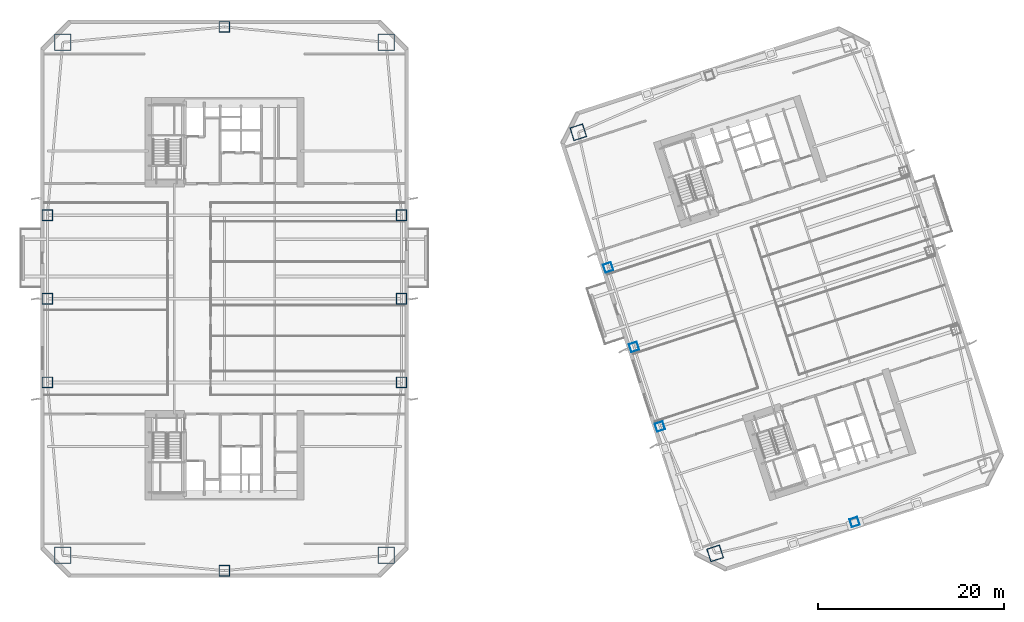
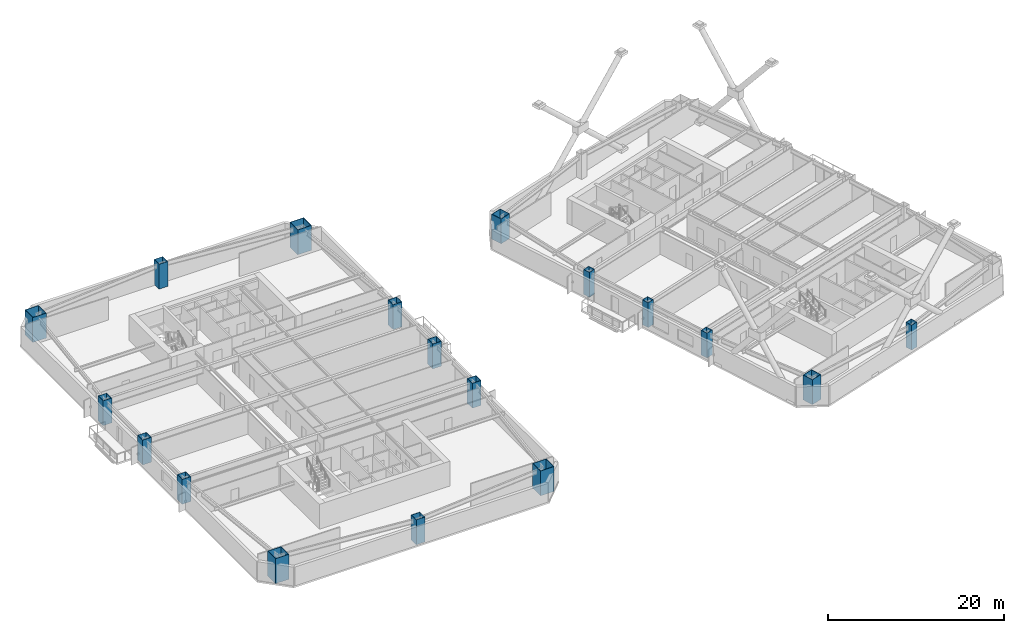
# One storey, part 1 of 19: 18 columns.
"""IFC4 building model written with IfcOpenShell, lengths in metres."""

from ifc_helpers import new_model, si_unit, direction, frame, origin, origin_2d, place, context, subcontext, project, spatial, hollow_rectangle, extrude, material, material_profile, profile_set, type_object, element, save


model = new_model("IFC4")

# Units and contexts
model_context = context("Model", 3, precision=1e-05, world=origin(), true_north=direction((0.0, 1.0)))
body_context = subcontext(model_context, "Body", "Model", "MODEL_VIEW")
ifc_project = project(units=[si_unit("LENGTHUNIT", "METRE"), si_unit("AREAUNIT", "SQUARE_METRE"), si_unit("VOLUMEUNIT", "CUBIC_METRE"), si_unit("PLANEANGLEUNIT", "RADIAN"), si_unit("MASSUNIT", "GRAM", prefix="KILO")], contexts=[model_context])

# Site, building, storey
site_placement = place(None, origin())
site = spatial("IfcSite", under=ifc_project, at=site_placement, CompositionType="ELEMENT")
building_placement = place(site_placement, origin())
building = spatial("IfcBuilding", under=site, at=building_placement, Name="Qiaolan Cultural Towers", CompositionType="ELEMENT")
storey_placement = place(building_placement, frame((0.0, 0.0, 78.199951171875)))
storey = spatial("IfcBuildingStorey", under=building, at=storey_placement, Name="L19", CompositionType="ELEMENT", Elevation=78.199951171875)

# Columns
ifc_material_1 = material(Name="Steel Q390GJB", Category="steel")
ifc_material_profile_1 = material_profile(ifc_material_1, hollow_rectangle(XDim=1.14990234375, YDim=1.14990234375, WallThickness=0.0400390625, at=origin_2d()), Name="BOX1150x1150x40")
ifc_profile_set_1 = profile_set([ifc_material_profile_1], Name="Steel Q390GJB")
column_type_1 = type_object("IfcColumnType", Name="COL-BOX1150x1150x40", PredefinedType="COLUMN", material=ifc_profile_set_1)
for number, where, z_axis, x_axis, name in (
    (1, (10.949951171875, 25.0, 0.0), (0.0, 0.0, 1.0), (1.0, 0.0, 0.0), "L19 T1 Perimeter Column PC-W1"),
    (2, (10.949951171875, 34.0, 0.0), (0.0, 0.0, 1.0), (1.0, 0.0, 0.0), "L19 T1 Perimeter Column PC-W2"),
    (3, (10.949951171875, 43.0, 0.0), (0.0, 0.0, 1.0), (1.0, 0.0, 0.0), "L19 T1 Perimeter Column PC-W3"),
    (4, (49.050048828125, 25.0, 0.0), (0.0, 0.0, 1.0), (1.0, 0.0, 0.0), "L19 T1 Perimeter Column PC-E1"),
    (5, (49.050048828125, 34.0, 0.0), (0.0, 0.0, 1.0), (1.0, 0.0, 0.0), "L19 T1 Perimeter Column PC-E2"),
    (6, (49.050048828125, 43.0, 0.0), (0.0, 0.0, 1.0), (1.0, 0.0, 0.0), "L19 T1 Perimeter Column PC-E3"),
    (7, (30.0, 4.75, 0.0), (0.0, 0.0, 1.0), (1.0, 0.0, 0.0), "L19 T1 Perimeter Column PC-S0"),
    (8, (30.0, 63.25, 0.0), (0.0, 0.0, 1.0), (1.0, 0.0, 0.0), "L19 T1 Perimeter Column PC-N0"),
):
    element("IfcColumn", number, at=place(storey_placement, frame(where, z_axis=z_axis, x_axis=x_axis)), inside=storey, type_object=column_type_1, Name=name, PredefinedType="COLUMN", context=body_context, shape_type="SweptSolid", body=[
        extrude(hollow_rectangle(XDim=1.14990234375, YDim=1.14990234375, WallThickness=0.0400390625, at=origin_2d()), origin(), (0.0, 0.0, 1.0), 3.450927734375),
    ])
ifc_material_2 = material(Name="Steel Q420GJB", Category="steel")
ifc_material_profile_2 = material_profile(ifc_material_2, hollow_rectangle(XDim=1.449951171875, YDim=1.449951171875, WallThickness=0.050048828125, at=origin_2d()), Name="BOX1450x1450x50")
ifc_profile_set_2 = profile_set([ifc_material_profile_2], Name="Steel Q420GJB")
column_type_2 = type_object("IfcColumnType", Name="COL-BOX1450x1450x50", PredefinedType="COLUMN", material=ifc_profile_set_2)
for number, where, z_axis, x_axis, name in (
    (9, (82.79052734375, 6.611572265625, 0.0), (0.0, 0.0, 1.0), (0.951056516295, 0.309016994375, 0.0), "L19 T2 Perimeter Column MC-SW"),
    (10, (68.069091796875, 51.919921875, 0.0), (0.0, 0.0, 1.0), (0.951056516295, 0.309016994375, 0.0), "L19 T2 Perimeter Column MC-NW"),
):
    element("IfcColumn", number, at=place(storey_placement, frame(where, z_axis=z_axis, x_axis=x_axis)), inside=storey, type_object=column_type_2, Name=name, PredefinedType="COLUMN", context=body_context, shape_type="SweptSolid", body=[
        extrude(hollow_rectangle(XDim=1.449951171875, YDim=1.449951171875, WallThickness=0.050048828125, at=origin_2d()), origin(), (0.0, 0.0, 1.0), 3.450927734375),
    ])
ifc_material_3 = material(Name="Steel Q420GJB", Category="steel")
ifc_material_profile_3 = material_profile(ifc_material_3, hollow_rectangle(XDim=1.800048828125, YDim=1.800048828125, WallThickness=0.06005859375, at=origin_2d()), Name="BOX1800x1800x60")
ifc_profile_set_3 = profile_set([ifc_material_profile_3], Name="Steel Q420GJB")
column_type_3 = type_object("IfcColumnType", Name="COL-BOX1800x1800x60", PredefinedType="COLUMN", material=ifc_profile_set_3)
for number, where, z_axis, x_axis, name in (
    (11, (12.60009765625, 6.39990234375, 0.0), (0.0, 0.0, 1.0), (1.0, 0.0, 0.0), "L19 T1 Perimeter Column MC-SW"),
    (12, (47.39990234375, 6.39990234375, 0.0), (0.0, 0.0, 1.0), (1.0, 0.0, 0.0), "L19 T1 Perimeter Column MC-SE"),
    (13, (47.39990234375, 61.60009765625, 0.0), (0.0, 0.0, 1.0), (1.0, 0.0, 0.0), "L19 T1 Perimeter Column MC-NE"),
    (14, (12.60009765625, 61.60009765625, 0.0), (0.0, 0.0, 1.0), (1.0, 0.0, 0.0), "L19 T1 Perimeter Column MC-NW"),
):
    element("IfcColumn", number, at=place(storey_placement, frame(where, z_axis=z_axis, x_axis=x_axis)), inside=storey, type_object=column_type_3, Name=name, PredefinedType="COLUMN", context=body_context, shape_type="SweptSolid", body=[
        extrude(hollow_rectangle(XDim=1.800048828125, YDim=1.800048828125, WallThickness=0.06005859375, at=origin_2d()), origin(), (0.0, 0.0, 1.0), 3.450927734375),
    ])
ifc_material_4 = material(Name="Steel Q355B", Category="steel")
ifc_material_profile_4 = material_profile(ifc_material_4, hollow_rectangle(XDim=0.89990234375, YDim=0.89990234375, WallThickness=0.031982421875, at=origin_2d()), Name="BOX900x900x32")
ifc_profile_set_4 = profile_set([ifc_material_profile_4], Name="Steel Q355B")
column_type_4 = type_object("IfcColumnType", Name="COL-BOX900x900x32", PredefinedType="COLUMN", material=ifc_profile_set_4)
for number, where, z_axis, x_axis, name in (
    (15, (76.85107421875, 20.264404296875, 0.0), (0.0, 0.0, 1.0), (0.951056516295, 0.309016994375, 0.0), "L19 T2 Perimeter Column PC-W1"),
    (16, (74.06982421875, 28.823974609375, 0.0), (0.0, 0.0, 1.0), (0.951056516295, 0.309016994375, 0.0), "L19 T2 Perimeter Column PC-W2"),
    (17, (71.28857421875, 37.383544921875, 0.0), (0.0, 0.0, 1.0), (0.951056516295, 0.309016994375, 0.0), "L19 T2 Perimeter Column PC-W3"),
    (18, (97.802734375, 9.98583984375, 0.0), (0.0, 0.0, 1.0), (0.951056516295, 0.309016994375, 0.0), "L19 T2 Perimeter Column PC-S0"),
):
    element("IfcColumn", number, at=place(storey_placement, frame(where, z_axis=z_axis, x_axis=x_axis)), inside=storey, type_object=column_type_4, Name=name, PredefinedType="COLUMN", context=body_context, shape_type="SweptSolid", body=[
        extrude(hollow_rectangle(XDim=0.89990234375, YDim=0.89990234375, WallThickness=0.031982421875, at=origin_2d()), origin(), (0.0, 0.0, 1.0), 3.450927734375),
    ])

save(model, "model.ifc")
